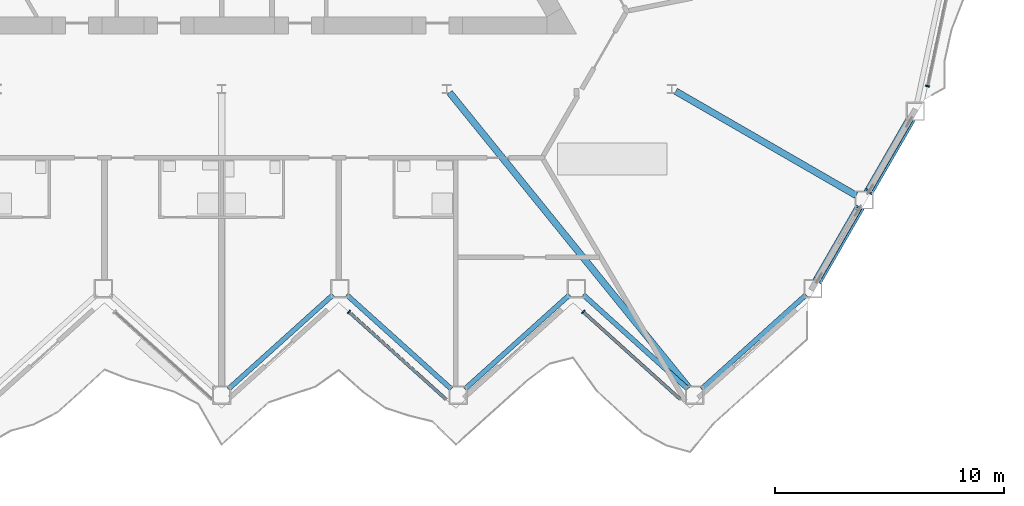
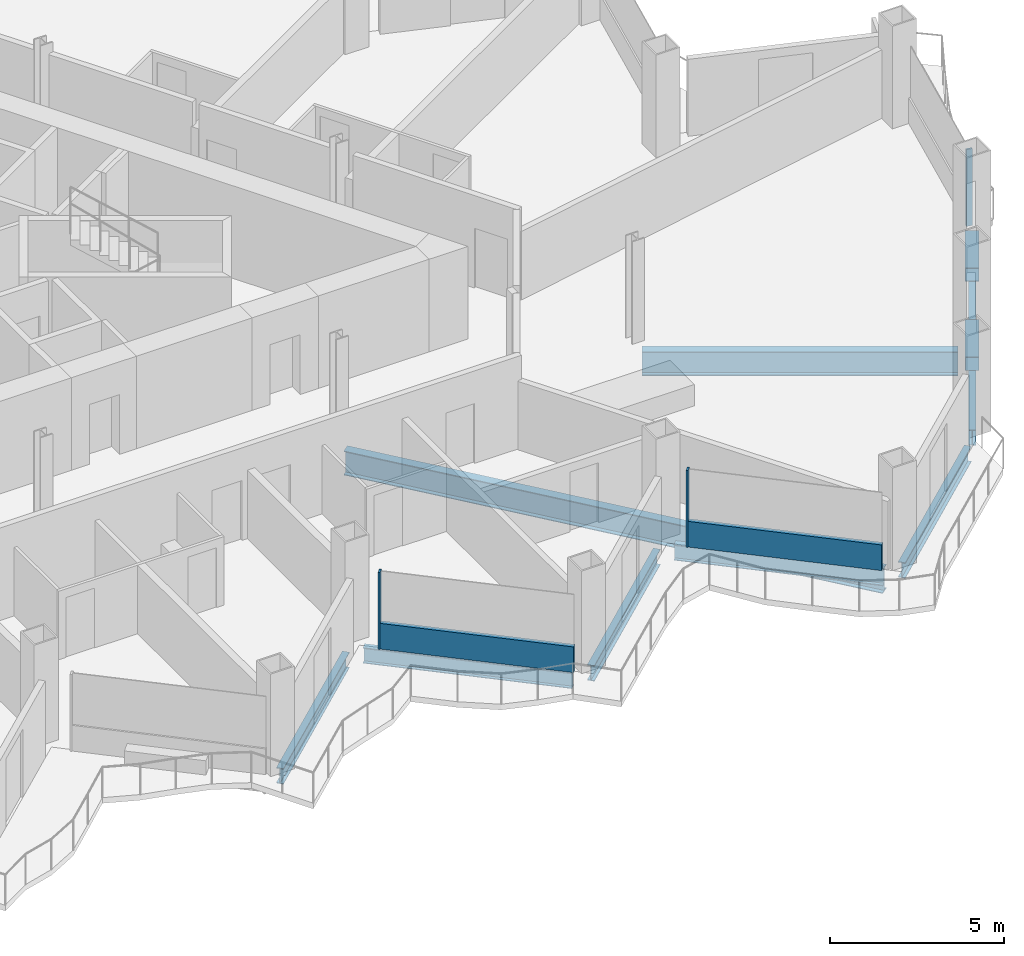
# One storey, part 5 of 23: 9 beams, 7 members, 3 elements without a shape of their own.
"""IFC4 building model written with IfcOpenShell, lengths in metres."""

from ifc_helpers import new_model, si_unit, direction, frame, origin, origin_2d, place, context, subcontext, project, spatial, rectangle, hollow_rectangle, i_section, extrude, material, layer, layer_set, material_profile, profile_set, type_object, element, aggregate, save


model = new_model("IFC4")

# Units and contexts
model_context = context("Model", 3, precision=1e-05, world=origin(), true_north=direction((0.0, 1.0)))
body_context = subcontext(model_context, "Body", "Model", "MODEL_VIEW")
ifc_project = project(units=[si_unit("LENGTHUNIT", "METRE"), si_unit("AREAUNIT", "SQUARE_METRE"), si_unit("VOLUMEUNIT", "CUBIC_METRE"), si_unit("PLANEANGLEUNIT", "RADIAN"), si_unit("MASSUNIT", "GRAM", prefix="KILO")], contexts=[model_context])

# Site, building, storey
site_placement = place(None, origin())
site = spatial("IfcSite", under=ifc_project, at=site_placement, CompositionType="ELEMENT")
building_placement = place(site_placement, origin())
building = spatial("IfcBuilding", under=site, at=building_placement, Name="Cormorant Prow Tower", CompositionType="ELEMENT")
storey_placement = place(building_placement, frame((0.0, 0.0, 172.800048828125)))
storey = spatial("IfcBuildingStorey", under=building, at=storey_placement, Name="L36", CompositionType="ELEMENT", Elevation=172.800048828125)

# Members
ifc_material_1 = material(Name="Structural steel ASTM A500 Gr C", Category="steel")
ifc_material_profile_1 = material_profile(ifc_material_1, hollow_rectangle(XDim=0.406494140625, YDim=0.406494140625, WallThickness=0.01171875, at=origin_2d()), Name="HSS16x16x1/2")
ifc_profile_set_1 = profile_set([ifc_material_profile_1], Name="Structural steel ASTM A500 Gr C")
member_type_1 = type_object("IfcMemberType", Name="Chamfer brace HSS16x16x1/2", PredefinedType="BRACE", material=ifc_profile_set_1)
member_1_placement = place(storey_placement, frame((27.850341796875, -16.56103515625, 0.739990234375), z_axis=(-0.474017648602, -0.820985582338, 0.318260808783), x_axis=(0.866015628144, -0.500016931523, 0.0)))
element("IfcMember", 1, at=member_1_placement, inside=storey, type_object=member_type_1, Name="Chamfer brace BR2 at ESE00 L36", PredefinedType="BRACE", context=body_context, shape_type="SweptSolid", body=[
    extrude(hollow_rectangle(XDim=0.406494140625, YDim=0.406494140625, WallThickness=0.01171875, at=origin_2d()), origin(), (0.0, 0.0, 1.0), 3.83544921875),
])
member_2_placement = place(storey_placement, frame((30.08544921875, -12.689453125, 0.739990234375), z_axis=(-0.473992878603, -0.821006330213, 0.318244177926), x_axis=(0.866032413668, -0.499987858329, 0.0)))
element("IfcMember", 2, at=member_2_placement, inside=storey, type_object=member_type_1, Name="Chamfer brace BR2 at ESE01 L36", PredefinedType="BRACE", context=body_context, shape_type="SweptSolid", body=[
    extrude(hollow_rectangle(XDim=0.406494140625, YDim=0.406494140625, WallThickness=0.01171875, at=origin_2d()), origin(), (0.0, 0.0, 1.0), 3.835693359375),
])

# Curtain wall, member
ifc_material_2 = material(Name="Aluminium 6063-T6", Category="aluminium")
ifc_layer = layer(ifc_material_2, 0.179931640625)
ifc_layer_set = layer_set([ifc_layer], Name="Aluminium 6063-T6")
curtain_wall_type = type_object("IfcCurtainWallType", Name="Hotel unitised curtain wall 180", PredefinedType="NOTDEFINED", material=ifc_layer_set)
curtain_wall_1_placement = place(storey_placement, origin())
curtain_wall_1 = element("IfcCurtainWall", 3, at=curtain_wall_1_placement, inside=storey, type_object=curtain_wall_type, Name="Hotel curtain wall S06", PredefinedType="NOTDEFINED")
ifc_material_3 = material(Name="Aluminium 6063-T6", Category="aluminium")
ifc_material_profile_2 = material_profile(ifc_material_3, rectangle(XDim=0.179931640625, YDim=0.06005859375, at=origin_2d()), Name="Hotel mullion 60x180")
ifc_profile_set_2 = profile_set([ifc_material_profile_2], Name="Aluminium 6063-T6")
member_type_2 = type_object("IfcMemberType", Name="Hotel mullion 60x180", PredefinedType="MULLION", material=ifc_profile_set_2)
member_3_placement = place(storey_placement, frame((5.56005859375, -21.08447265625, 0.0), z_axis=(0.0, 0.0, 1.0), x_axis=(0.669130488316, 0.743144931764, 0.0)))
member_3 = element("IfcMember", 4, at=member_3_placement, type_object=member_type_2, Name="Hotel mullion S06", PredefinedType="MULLION", context=body_context, shape_type="SweptSolid", body=[
    extrude(rectangle(XDim=0.179931640625, YDim=0.06005859375, at=origin_2d()), origin(), (0.0, 0.0, 1.0), 2.700927734375),
])

curtain_wall_2_placement = place(storey_placement, origin())
curtain_wall_2 = element("IfcCurtainWall", 5, at=curtain_wall_2_placement, inside=storey, type_object=curtain_wall_type, Name="Hotel curtain wall S08", PredefinedType="NOTDEFINED")
member_4_placement = place(storey_placement, frame((15.79150390625, -21.08447265625, 0.0), z_axis=(0.0, 0.0, 1.0), x_axis=(0.669130560548, 0.743144866726, 0.0)))
member_4 = element("IfcMember", 6, at=member_4_placement, type_object=member_type_2, Name="Hotel mullion S08", PredefinedType="MULLION", context=body_context, shape_type="SweptSolid", body=[
    extrude(rectangle(XDim=0.179931640625, YDim=0.06005859375, at=origin_2d()), origin(), (0.0, 0.0, 1.0), 2.700927734375),
])

curtain_wall_3_placement = place(storey_placement, origin())
curtain_wall_3 = element("IfcCurtainWall", 7, at=curtain_wall_3_placement, inside=storey, type_object=curtain_wall_type, Name="Hotel curtain wall ENE00", PredefinedType="NOTDEFINED")
member_5_placement = place(storey_placement, frame((30.826904296875, -11.224609375, 0.0), z_axis=(0.0, 0.0, 1.0), x_axis=(-0.978147592729, 0.207911728478, 0.0)))
member_5 = element("IfcMember", 8, at=member_5_placement, type_object=member_type_2, Name="Hotel mullion ENE00", PredefinedType="MULLION", context=body_context, shape_type="SweptSolid", body=[
    extrude(rectangle(XDim=0.179931640625, YDim=0.06005859375, at=origin_2d()), origin(), (0.0, 0.0, 1.0), 2.700927734375),
])
aggregate(curtain_wall_3, [member_5])

# Member
ifc_material_4 = material(Name="Terracotta", Category="masonry")
ifc_material_profile_3 = material_profile(ifc_material_4, rectangle(XDim=0.139892578125, YDim=0.89990234375, at=origin_2d()), Name="Hotel terracotta spandrel rail 140x900")
ifc_profile_set_3 = profile_set([ifc_material_profile_3], Name="Terracotta")
member_type_3 = type_object("IfcMemberType", Name="Hotel terracotta spandrel rail 140x900", PredefinedType="USERDEFINED", material=ifc_profile_set_3)
member_6_placement = place(storey_placement, frame((5.58251953125, -21.1044921875, 0.449951171875), z_axis=(0.743138320107, -0.669137831234, 0.0), x_axis=(0.669137831234, 0.743138320107, 0.0)))
member_6 = element("IfcMember", 9, at=member_6_placement, type_object=member_type_3, Name="Hotel spandrel rail S06", ObjectType="TRANSOM", PredefinedType="USERDEFINED", context=body_context, shape_type="SweptSolid", body=[
    extrude(rectangle(XDim=0.139892578125, YDim=0.89990234375, at=origin_2d()), origin(), (0.0, 0.0, 1.0), 5.687744140625),
])

aggregate(curtain_wall_1, [member_3, member_6])

member_7_placement = place(storey_placement, frame((15.813720703125, -21.1044921875, 0.449951171875), z_axis=(0.743157538086, -0.669116487307, 0.0), x_axis=(0.669116487307, 0.743157538086, 0.0)))
member_7 = element("IfcMember", 10, at=member_7_placement, type_object=member_type_3, Name="Hotel spandrel rail S08", ObjectType="TRANSOM", PredefinedType="USERDEFINED", context=body_context, shape_type="SweptSolid", body=[
    extrude(rectangle(XDim=0.139892578125, YDim=0.89990234375, at=origin_2d()), origin(), (0.0, 0.0, 1.0), 5.68798828125),
])

aggregate(curtain_wall_2, [member_4, member_7])

# Beams
ifc_material_5 = material(Name="Structural steel ASTM A992 Gr 50", Category="steel")
ifc_material_profile_4 = material_profile(ifc_material_5, i_section(OverallWidth=0.29296875, OverallDepth=0.845703125, WebThickness=0.015380859375, FlangeThickness=0.0244140625, at=origin_2d()), Name="W33x141")
ifc_profile_set_4 = profile_set([ifc_material_profile_4], Name="Structural steel ASTM A992 Gr 50")
beam_type_1 = type_object("IfcBeamType", Name="Radial floor beam W33x141", PredefinedType="BEAM", material=ifc_profile_set_4)
beam_1_placement = place(storey_placement, frame((9.95654296875, -11.50732421875, -0.77294921875), z_axis=(0.629385162657, -0.777093505974, 0.0), x_axis=(0.777093505974, 0.629385162657, 0.0)))
element("IfcBeam", 11, at=beam_1_placement, inside=storey, type_object=beam_type_1, Name="Radial floor beam FB2 8 L36", PredefinedType="BEAM", context=body_context, shape_type="SweptSolid", body=[
    extrude(i_section(OverallWidth=0.29296875, OverallDepth=0.845703125, WebThickness=0.015380859375, FlangeThickness=0.0244140625, at=origin_2d()), origin(), (0.0, 0.0, 1.0), 16.6044921875),
])
beam_2_placement = place(storey_placement, frame((19.833251953125, -11.45068359375, -0.77294921875), z_axis=(0.866023373109, -0.500003517217, 0.0), x_axis=(0.500003517217, 0.866023373109, 0.0)))
element("IfcBeam", 12, at=beam_2_placement, inside=storey, type_object=beam_type_1, Name="Radial floor beam FB2 9 L36", PredefinedType="BEAM", context=body_context, shape_type="SweptSolid", body=[
    extrude(i_section(OverallWidth=0.29296875, OverallDepth=0.845703125, WebThickness=0.015380859375, FlangeThickness=0.0244140625, at=origin_2d()), origin(), (0.0, 0.0, 1.0), 9.09814453125),
])
ifc_material_6 = material(Name="Structural steel ASTM A992 Gr 50", Category="steel")
ifc_material_profile_5 = material_profile(ifc_material_6, i_section(OverallWidth=0.2138671875, OverallDepth=0.549072265625, WebThickness=0.0146484375, FlangeThickness=0.023681640625, at=origin_2d()), Name="W21x93")
ifc_profile_set_5 = profile_set([ifc_material_profile_5], Name="Structural steel ASTM A992 Gr 50")
beam_type_2 = type_object("IfcBeamType", Name="Spandrel beam W21x93", PredefinedType="SPANDREL", material=ifc_profile_set_5)
beam_3_placement = place(storey_placement, frame((0.29736328125, -24.453857421875, -0.62451171875), z_axis=(0.743138178716, 0.669137988261, 0.0), x_axis=(-0.669137988261, 0.743138178716, 0.0)))
element("IfcBeam", 13, at=beam_3_placement, inside=storey, type_object=beam_type_2, Name="Spandrel beam SB2 S05-S06 L36", PredefinedType="SPANDREL", context=body_context, shape_type="SweptSolid", body=[
    extrude(i_section(OverallWidth=0.2138671875, OverallDepth=0.549072265625, WebThickness=0.0146484375, FlangeThickness=0.023681640625, at=origin_2d()), origin(), (0.0, 0.0, 1.0), 6.149658203125),
])
beam_4_placement = place(storey_placement, frame((5.4619140625, -20.3388671875, -0.62451171875), z_axis=(0.743155953285, -0.669118247469, 0.0), x_axis=(0.669118247469, 0.743155953285, 0.0)))
element("IfcBeam", 14, at=beam_4_placement, inside=storey, type_object=beam_type_2, Name="Spandrel beam SB2 S06-S07 L36", PredefinedType="SPANDREL", context=body_context, shape_type="SweptSolid", body=[
    extrude(i_section(OverallWidth=0.2138671875, OverallDepth=0.549072265625, WebThickness=0.0146484375, FlangeThickness=0.023681640625, at=origin_2d()), origin(), (0.0, 0.0, 1.0), 6.14990234375),
])
for number, where, z_axis, x_axis, name in (
    (15, (10.626708984375, -24.453857421875, -0.62451171875), (0.743138178716, 0.669137988261, 0.0), (-0.669137988261, 0.743138178716, 0.0), "Spandrel beam SB2 S07-S08 L36"),
    (16, (15.79150390625, -20.3388671875, -0.62451171875), (0.743138178716, -0.669137988261, 0.0), (0.669137988261, 0.743138178716, 0.0), "Spandrel beam SB2 S08-S09 L36"),
):
    element("IfcBeam", number, at=place(storey_placement, frame(where, z_axis=z_axis, x_axis=x_axis)), inside=storey, type_object=beam_type_2, Name=name, PredefinedType="SPANDREL", context=body_context, shape_type="SweptSolid", body=[
        extrude(i_section(OverallWidth=0.2138671875, OverallDepth=0.549072265625, WebThickness=0.0146484375, FlangeThickness=0.023681640625, at=origin_2d()), origin(), (0.0, 0.0, 1.0), 6.149658203125),
    ])
beam_5_placement = place(storey_placement, frame((20.9560546875, -24.453857421875, -0.62451171875), z_axis=(0.743155953285, 0.669118247469, 0.0), x_axis=(-0.669118247469, 0.743155953285, 0.0)))
element("IfcBeam", 17, at=beam_5_placement, inside=storey, type_object=beam_type_2, Name="Spandrel beam SB2 S09-ESE00 L36", PredefinedType="SPANDREL", context=body_context, shape_type="SweptSolid", body=[
    extrude(i_section(OverallWidth=0.2138671875, OverallDepth=0.549072265625, WebThickness=0.0146484375, FlangeThickness=0.023681640625, at=origin_2d()), origin(), (0.0, 0.0, 1.0), 6.14990234375),
])
for number, where, z_axis, x_axis, name in (
    (18, (26.023681640625, -19.724853515625, -0.62451171875), (0.499994986164, 0.866028298505, 0.0), (-0.866028298505, 0.499994986164, 0.0), "Spandrel beam SB2 ESE00-ESE01 L36"),
    (19, (28.2587890625, -15.853271484375, -0.62451171875), (0.499994986164, 0.866028298505, 0.0), (-0.866028298505, 0.499994986164, 0.0), "Spandrel beam SB2 ESE01-ENE00 L36"),
):
    element("IfcBeam", number, at=place(storey_placement, frame(where, z_axis=z_axis, x_axis=x_axis)), inside=storey, type_object=beam_type_2, Name=name, PredefinedType="SPANDREL", context=body_context, shape_type="SweptSolid", body=[
        extrude(i_section(OverallWidth=0.2138671875, OverallDepth=0.549072265625, WebThickness=0.0146484375, FlangeThickness=0.023681640625, at=origin_2d()), origin(), (0.0, 0.0, 1.0), 3.67041015625),
    ])

save(model, "model.ifc")
